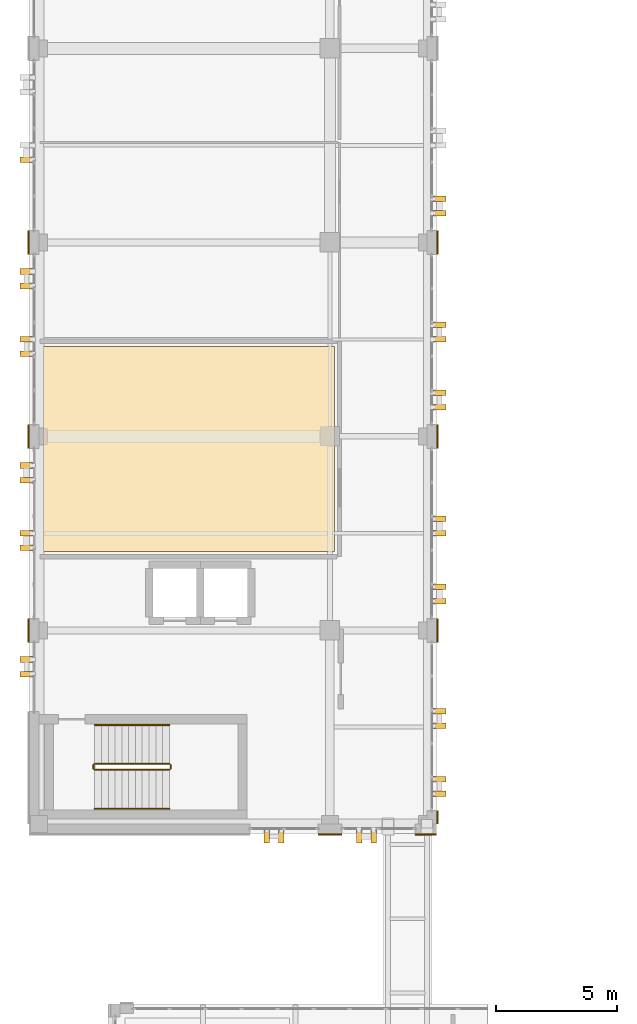
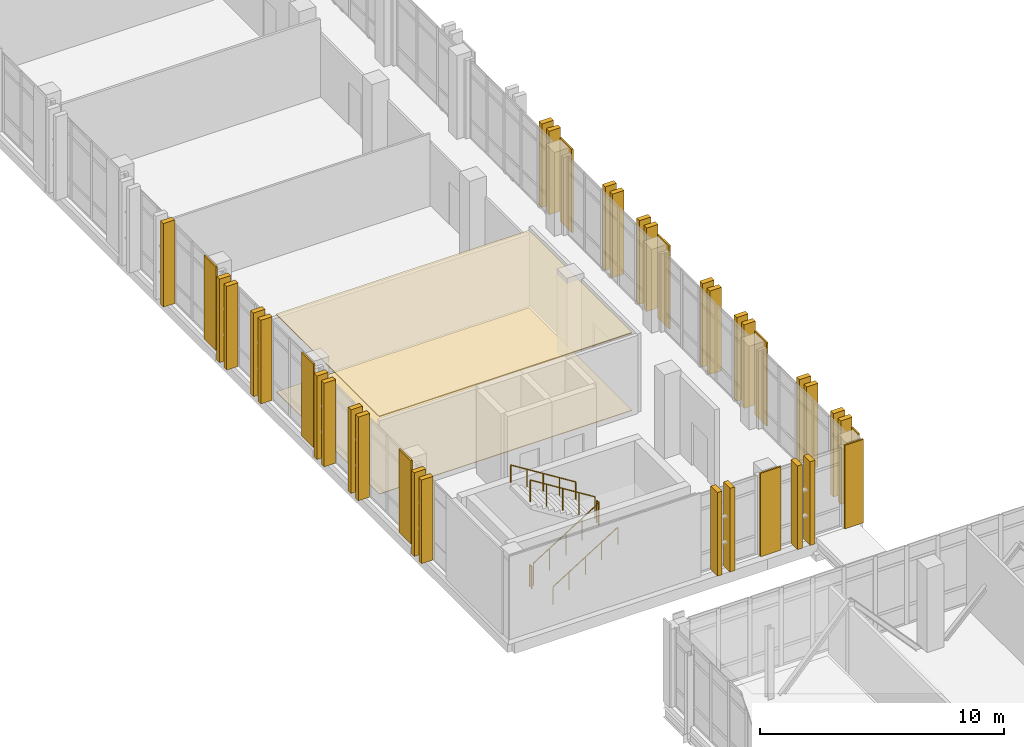
# One storey, part 146 of 158: 40 coverings, 6 railings.
"""IFC4 building model written with IfcOpenShell, lengths in metres."""

from ifc_helpers import new_model, si_unit, direction, frame, origin, origin_2d, place, context, subcontext, project, spatial, polyline, rectangle, circle, outline, extrude, material, layer, layer_set, type_object, element, save


model = new_model("IFC4")

# Units and contexts
model_context = context("Model", 3, precision=1e-05, world=origin(), true_north=direction((0.0, 1.0)))
body_context = subcontext(model_context, "Body", "Model", "MODEL_VIEW")
ifc_project = project(units=[si_unit("LENGTHUNIT", "METRE"), si_unit("AREAUNIT", "SQUARE_METRE"), si_unit("VOLUMEUNIT", "CUBIC_METRE"), si_unit("PLANEANGLEUNIT", "RADIAN"), si_unit("MASSUNIT", "GRAM", prefix="KILO")], contexts=[model_context])

# Site, building, storey
site_placement = place(None, origin())
site = spatial("IfcSite", under=ifc_project, at=site_placement, CompositionType="ELEMENT")
building_placement = place(site_placement, origin())
building = spatial("IfcBuilding", under=site, at=building_placement, Name="Qalavern Law Courts", CompositionType="ELEMENT")
storey_placement = place(building_placement, frame((0.0, 0.0, 18.60009765625)))
storey = spatial("IfcBuildingStorey", under=building, at=storey_placement, Name="L04", CompositionType="ELEMENT", Elevation=18.60009765625)

# Coverings
ifc_material_1 = material(Name="Precast concrete C40/50", Category="concrete")
ifc_layer_1 = layer(ifc_material_1, 0.22998046875)
ifc_layer_set_1 = layer_set([ifc_layer_1], Name="Precast concrete C40/50")
covering_type_1 = type_object("IfcCoveringType", Name="ENV-BLD-2", PredefinedType="CLADDING", material=ifc_layer_set_1)
for number, where, z_axis, x_axis, name in (
    (1, (11.800048828125, 40.909912109375, 0.0048828125), (0.0, 0.0, 1.0), (0.0, -1.0, 0.0), "Absheron stone facade blade 0351"),
    (2, (12.39990234375, 40.909912109375, 0.0048828125), (0.0, 0.0, 1.0), (0.0, -1.0, 0.0), "Absheron stone facade blade 0352"),
    (3, (15.60009765625, 40.909912109375, 0.0048828125), (0.0, 0.0, 1.0), (0.0, -1.0, 0.0), "Absheron stone facade blade 0353"),
    (4, (16.199951171875, 40.909912109375, 0.0048828125), (0.0, 0.0, 1.0), (0.0, -1.0, 0.0), "Absheron stone facade blade 0354"),
    (5, (18.909912109375, 42.6650390625, 0.0048828125), (0.0, 0.0, 1.0), (1.0, 0.0, 0.0), "Absheron stone facade blade 0355"),
    (6, (18.909912109375, 43.264892578125, 0.0048828125), (0.0, 0.0, 1.0), (1.0, 0.0, 0.0), "Absheron stone facade blade 0356"),
    (7, (18.909912109375, 45.465087890625, 0.0048828125), (0.0, 0.0, 1.0), (1.0, 0.0, 0.0), "Absheron stone facade blade 0357"),
    (8, (18.909912109375, 46.06494140625, 0.0048828125), (0.0, 0.0, 1.0), (1.0, 0.0, 0.0), "Absheron stone facade blade 0358"),
    (9, (18.909912109375, 50.60009765625, 0.0048828125), (0.0, 0.0, 1.0), (1.0, 0.0, 0.0), "Absheron stone facade blade 0359"),
    (10, (18.909912109375, 51.199951171875, 0.0048828125), (0.0, 0.0, 1.0), (1.0, 0.0, 0.0), "Absheron stone facade blade 0360"),
    (11, (18.909912109375, 53.39990234375, 0.0048828125), (0.0, 0.0, 1.0), (1.0, 0.0, 0.0), "Absheron stone facade blade 0361"),
    (12, (18.909912109375, 54.0, 0.0048828125), (0.0, 0.0, 1.0), (1.0, 0.0, 0.0), "Absheron stone facade blade 0362"),
    (13, (18.909912109375, 58.60009765625, 0.0048828125), (0.0, 0.0, 1.0), (1.0, 0.0, 0.0), "Absheron stone facade blade 0363"),
    (14, (18.909912109375, 59.199951171875, 0.0048828125), (0.0, 0.0, 1.0), (1.0, 0.0, 0.0), "Absheron stone facade blade 0364"),
    (15, (18.909912109375, 61.39990234375, 0.0048828125), (0.0, 0.0, 1.0), (1.0, 0.0, 0.0), "Absheron stone facade blade 0365"),
    (16, (18.909912109375, 62.0, 0.0048828125), (0.0, 0.0, 1.0), (1.0, 0.0, 0.0), "Absheron stone facade blade 0366"),
    (17, (18.909912109375, 66.60009765625, 0.0048828125), (0.0, 0.0, 1.0), (1.0, 0.0, 0.0), "Absheron stone facade blade 0367"),
    (18, (18.909912109375, 67.199951171875, 0.0048828125), (0.0, 0.0, 1.0), (1.0, 0.0, 0.0), "Absheron stone facade blade 0368"),
    (19, (1.889892578125, 68.800048828125, 0.0048828125), (0.0, 0.0, 1.0), (-1.0, 0.0, 0.0), "Absheron stone facade blade 0394"),
    (20, (1.889892578125, 64.199951171875, 0.0048828125), (0.0, 0.0, 1.0), (-1.0, 0.0, 0.0), "Absheron stone facade blade 0395"),
    (21, (1.889892578125, 63.60009765625, 0.0048828125), (0.0, 0.0, 1.0), (-1.0, 0.0, 0.0), "Absheron stone facade blade 0396"),
    (22, (1.889892578125, 61.39990234375, 0.0048828125), (0.0, 0.0, 1.0), (-1.0, 0.0, 0.0), "Absheron stone facade blade 0397"),
    (23, (1.889892578125, 60.800048828125, 0.0048828125), (0.0, 0.0, 1.0), (-1.0, 0.0, 0.0), "Absheron stone facade blade 0398"),
    (24, (1.889892578125, 56.199951171875, 0.0048828125), (0.0, 0.0, 1.0), (-1.0, 0.0, 0.0), "Absheron stone facade blade 0399"),
    (25, (1.889892578125, 55.60009765625, 0.0048828125), (0.0, 0.0, 1.0), (-1.0, 0.0, 0.0), "Absheron stone facade blade 0400"),
    (26, (1.889892578125, 53.39990234375, 0.0048828125), (0.0, 0.0, 1.0), (-1.0, 0.0, 0.0), "Absheron stone facade blade 0401"),
    (27, (1.889892578125, 52.800048828125, 0.0048828125), (0.0, 0.0, 1.0), (-1.0, 0.0, 0.0), "Absheron stone facade blade 0402"),
    (28, (1.889892578125, 48.199951171875, 0.0048828125), (0.0, 0.0, 1.0), (-1.0, 0.0, 0.0), "Absheron stone facade blade 0403"),
    (29, (1.889892578125, 47.60009765625, 0.0048828125), (0.0, 0.0, 1.0), (-1.0, 0.0, 0.0), "Absheron stone facade blade 0404"),
):
    element("IfcCovering", number, at=place(storey_placement, frame(where, z_axis=z_axis, x_axis=x_axis)), inside=storey, type_object=covering_type_1, Name=name, PredefinedType="CLADDING", context=body_context, shape_type="SweptSolid", body=[
        extrude(rectangle(XDim=0.5400390625, YDim=0.22998046875, at=origin_2d()), origin(), (0.0, 0.0, 1.0), 4.18994140625),
    ])
ifc_layer_2 = layer(ifc_material_1, 0.072021484375)
ifc_layer_set_2 = layer_set([ifc_layer_2], Name="Precast concrete C40/50")
covering_type_2 = type_object("IfcCoveringType", Name="ENV-CLD-2", PredefinedType="CLADDING", material=ifc_layer_set_2)
covering_1_placement = place(storey_placement, frame((14.39990234375, 40.987060546875, 0.009765625), z_axis=(0.0, 0.0, 1.0), x_axis=(1.0, 0.0, 0.0)))
element("IfcCovering", 30, at=covering_1_placement, inside=storey, type_object=covering_type_2, Name="V3 Absheron limestone pier facing L04 south 2", PredefinedType="CLADDING", context=body_context, shape_type="SweptSolid", body=[
    extrude(rectangle(XDim=0.97998046875, YDim=0.072021484375, at=origin_2d()), origin(), (0.0, 0.0, 1.0), 4.179931640625),
])
covering_2_placement = place(storey_placement, frame((18.35009765625, 40.987060546875, 0.009765625), z_axis=(0.0, 0.0, 1.0), x_axis=(1.0, 0.0, 0.0)))
element("IfcCovering", 31, at=covering_2_placement, inside=storey, type_object=covering_type_2, Name="V3 Absheron limestone pier facing L04 south 3", PredefinedType="CLADDING", context=body_context, shape_type="SweptSolid", body=[
    extrude(rectangle(XDim=0.8798828125, YDim=0.072021484375, at=origin_2d()), origin(), (0.0, 0.0, 1.0), 4.179931640625),
])
covering_3_placement = place(storey_placement, frame((18.8330078125, 41.68994140625, 0.009765625), z_axis=(0.0, 0.0, 1.0), x_axis=(0.0, 1.0, 0.0)))
element("IfcCovering", 32, at=covering_3_placement, inside=storey, type_object=covering_type_2, Name="V3 Absheron limestone pier facing L04 east 1", PredefinedType="CLADDING", context=body_context, shape_type="SweptSolid", body=[
    extrude(rectangle(XDim=0.530029296875, YDim=0.072021484375, at=origin_2d()), origin(), (0.0, 0.0, 1.0), 4.179931640625),
])
for number, where, z_axis, x_axis, name in (
    (33, (18.8330078125, 49.39990234375, 0.009765625), (0.0, 0.0, 1.0), (0.0, 1.0, 0.0), "V3 Absheron limestone pier facing L04 east 2"),
    (34, (18.8330078125, 57.39990234375, 0.009765625), (0.0, 0.0, 1.0), (0.0, 1.0, 0.0), "V3 Absheron limestone pier facing L04 east 3"),
    (35, (18.8330078125, 65.39990234375, 0.009765625), (0.0, 0.0, 1.0), (0.0, 1.0, 0.0), "V3 Absheron limestone pier facing L04 east 4"),
    (36, (1.967041015625, 65.39990234375, 0.009765625), (0.0, 0.0, 1.0), (0.0, -1.0, 0.0), "V3 Absheron limestone pier facing L04 west 5"),
    (37, (1.967041015625, 57.39990234375, 0.009765625), (0.0, 0.0, 1.0), (0.0, -1.0, 0.0), "V3 Absheron limestone pier facing L04 west 6"),
    (38, (1.967041015625, 49.39990234375, 0.009765625), (0.0, 0.0, 1.0), (0.0, -1.0, 0.0), "V3 Absheron limestone pier facing L04 west 7"),
):
    element("IfcCovering", number, at=place(storey_placement, frame(where, z_axis=z_axis, x_axis=x_axis)), inside=storey, type_object=covering_type_2, Name=name, PredefinedType="CLADDING", context=body_context, shape_type="SweptSolid", body=[
        extrude(rectangle(XDim=0.97998046875, YDim=0.072021484375, at=origin_2d()), origin(), (0.0, 0.0, 1.0), 4.179931640625),
    ])
ifc_material_2 = material(Name="Perforated gypsum and mineral-wool acoustic ceiling")
ifc_layer_3 = layer(ifc_material_2, 0.0458984375)
ifc_layer_set_3 = layer_set([ifc_layer_3], Name="Perforated gypsum and mineral-wool acoustic ceiling")
covering_type_3 = type_object("IfcCoveringType", Name="INT-CEIL-2", PredefinedType="CEILING", material=ifc_layer_set_3)
covering_4_placement = place(storey_placement, frame((0.0, 0.0, 3.87890625)))
element("IfcCovering", 39, at=covering_4_placement, inside=storey, type_object=covering_type_3, Name="High-Security Criminal Courtroom acoustic ceiling L04", PredefinedType="CEILING", context=body_context, shape_type="SweptSolid", body=[
    extrude(outline(polyline([(2.590087890625, 52.64990234375), (14.580078125, 52.64990234375), (14.580078125, 61.113037109375), (2.590087890625, 61.113037109375), (2.590087890625, 52.64990234375)])), origin(), (0.0, 0.0, 1.0), 0.0458984375),
])
ifc_material_3 = material(Name="Polished Absheron stone terrazzo flooring", Category="masonry")
ifc_layer_4 = layer(ifc_material_3, 0.030029296875)
ifc_layer_set_4 = layer_set([ifc_layer_4], Name="Polished Absheron stone terrazzo flooring")
covering_type_4 = type_object("IfcCoveringType", Name="INT-FLR-2", PredefinedType="FLOORING", material=ifc_layer_set_4)
covering_5_placement = place(storey_placement, origin())
element("IfcCovering", 40, at=covering_5_placement, inside=storey, type_object=covering_type_4, Name="High-Security Criminal Courtroom finish flooring L04", PredefinedType="FLOORING", context=body_context, shape_type="SweptSolid", body=[
    extrude(outline(polyline([(2.590087890625, 52.64990234375), (14.580078125, 52.64990234375), (14.580078125, 61.113037109375), (2.590087890625, 61.113037109375), (2.590087890625, 52.64990234375)])), origin(), (0.0, 0.0, 1.0), 0.02978515625),
])

# Railings
ifc_material_4 = material(Name="Steel S355", Category="steel")
railing_type_1 = type_object("IfcRailingType", Name="INT-GUARD-1120", PredefinedType="BALUSTRADE", material=ifc_material_4)
railing_1_placement = place(storey_placement, frame((4.699951171875, 43.64990234375, 0.1748046875)))
element("IfcRailing", 41, at=railing_1_placement, inside=storey, type_object=railing_type_1, Name="L04 ST-K2 stair guard 1", PredefinedType="BALUSTRADE", context=body_context, shape_type="SweptSolid", body=[
    extrude(circle(Radius=0.02392578125, at=origin_2d()), frame((0.0, 0.0, 1.09619140625), z_axis=(0.847998304005, 0.0, 0.529998940003), x_axis=(0.0, 1.0, 0.0)), (0.0, 0.0, 1.0), 3.632080078125),
    extrude(circle(Radius=0.02099609375, at=origin_2d()), origin(), (0.0, 0.0, 1.0), 1.072021484375),
    extrude(circle(Radius=0.02099609375, at=origin_2d()), frame((0.77001953125, 0.0, 0.481201171875)), (0.0, 0.0, 1.0), 1.072021484375),
    extrude(circle(Radius=0.02099609375, at=origin_2d()), frame((1.5400390625, 0.0, 0.96240234375)), (0.0, 0.0, 1.0), 1.072021484375),
    extrude(circle(Radius=0.02099609375, at=origin_2d()), frame((2.31005859375, 0.0, 1.44384765625)), (0.0, 0.0, 1.0), 1.072021484375),
    extrude(circle(Radius=0.02099609375, at=origin_2d()), frame((3.080078125, 0.0, 1.925048828125)), (0.0, 0.0, 1.0), 1.072021484375),
])
railing_2_placement = place(storey_placement, frame((7.830078125, 43.699951171875, 2.099853515625)))
element("IfcRailing", 42, at=railing_2_placement, inside=storey, type_object=railing_type_1, Name="L04 ST-K2 stair guard 2", PredefinedType="BALUSTRADE", context=body_context, shape_type="SweptSolid", body=[
    extrude(circle(Radius=0.02392578125, at=origin_2d()), frame((0.0, 0.0, 1.09619140625), z_axis=(0.0, 1.0, 0.0), x_axis=(-1.0, 0.0, 0.0)), (0.0, 0.0, 1.0), 0.150146484375),
    extrude(circle(Radius=0.02099609375, at=origin_2d()), origin(), (0.0, 0.0, 1.0), 1.072021484375),
    extrude(circle(Radius=0.02099609375, at=origin_2d()), frame((0.0, 0.150146484375, 0.0)), (0.0, 0.0, 1.0), 1.072021484375),
])
railing_3_placement = place(storey_placement, frame((7.780029296875, 43.89990234375, 2.27490234375)))
element("IfcRailing", 43, at=railing_3_placement, inside=storey, type_object=railing_type_1, Name="L04 ST-K2 stair guard 3", PredefinedType="BALUSTRADE", context=body_context, shape_type="SweptSolid", body=[
    extrude(circle(Radius=0.02392578125, at=origin_2d()), frame((0.0, 0.0, 1.09619140625), z_axis=(-0.847998304005, 0.0, 0.529998940003), x_axis=(0.0, -1.0, 0.0)), (0.0, 0.0, 1.0), 3.632080078125),
    extrude(circle(Radius=0.02099609375, at=origin_2d()), origin(), (0.0, 0.0, 1.0), 1.072021484375),
    extrude(circle(Radius=0.02099609375, at=origin_2d()), frame((-0.77001953125, 0.0, 0.481201171875)), (0.0, 0.0, 1.0), 1.072021484375),
    extrude(circle(Radius=0.02099609375, at=origin_2d()), frame((-1.5400390625, 0.0, 0.96240234375)), (0.0, 0.0, 1.0), 1.072021484375),
    extrude(circle(Radius=0.02099609375, at=origin_2d()), frame((-2.31005859375, 0.0, 1.44384765625)), (0.0, 0.0, 1.0), 1.072021484375),
    extrude(circle(Radius=0.02099609375, at=origin_2d()), frame((-3.080078125, 0.0, 1.925048828125)), (0.0, 0.0, 1.0), 1.072021484375),
])
railing_4_placement = place(storey_placement, frame((4.64990234375, 43.699951171875, 0.0)))
element("IfcRailing", 44, at=railing_4_placement, inside=storey, type_object=railing_type_1, Name="L04 ST-K2 stair guard 4", PredefinedType="BALUSTRADE", context=body_context, shape_type="SweptSolid", body=[
    extrude(circle(Radius=0.02392578125, at=origin_2d()), frame((0.0, 0.0, 1.09619140625), z_axis=(0.0, 1.0, 0.0), x_axis=(-1.0, 0.0, 0.0)), (0.0, 0.0, 1.0), 0.150146484375),
    extrude(circle(Radius=0.02099609375, at=origin_2d()), origin(), (0.0, 0.0, 1.0), 1.072021484375),
    extrude(circle(Radius=0.02099609375, at=origin_2d()), frame((0.0, 0.150146484375, 0.0)), (0.0, 0.0, 1.0), 1.072021484375),
])
railing_type_2 = type_object("IfcRailingType", Name="INT-HRAIL-920", PredefinedType="HANDRAIL", material=ifc_material_4)
railing_5_placement = place(storey_placement, frame((4.699951171875, 42.050048828125, 0.1748046875)))
element("IfcRailing", 45, at=railing_5_placement, inside=storey, type_object=railing_type_2, Name="L04 ST-K2 stair handrail 1", PredefinedType="HANDRAIL", context=body_context, shape_type="SweptSolid", body=[
    extrude(circle(Radius=0.02392578125, at=origin_2d()), frame((0.0, 0.0, 0.8759765625), z_axis=(0.847998304005, 0.0, 0.529998940003), x_axis=(0.0, 1.0, 0.0)), (0.0, 0.0, 1.0), 3.632080078125),
    extrude(circle(Radius=0.02099609375, at=origin_2d()), origin(), (0.0, 0.0, 1.0), 0.851806640625),
    extrude(circle(Radius=0.02099609375, at=origin_2d()), frame((0.77001953125, 0.0, 0.481201171875)), (0.0, 0.0, 1.0), 0.851806640625),
    extrude(circle(Radius=0.02099609375, at=origin_2d()), frame((1.5400390625, 0.0, 0.96240234375)), (0.0, 0.0, 1.0), 0.851806640625),
    extrude(circle(Radius=0.02099609375, at=origin_2d()), frame((2.31005859375, 0.0, 1.44384765625)), (0.0, 0.0, 1.0), 0.851806640625),
    extrude(circle(Radius=0.02099609375, at=origin_2d()), frame((3.080078125, 0.0, 1.925048828125)), (0.0, 0.0, 1.0), 0.851806640625),
])
railing_6_placement = place(storey_placement, frame((7.780029296875, 45.5, 2.27490234375)))
element("IfcRailing", 46, at=railing_6_placement, inside=storey, type_object=railing_type_2, Name="L04 ST-K2 stair handrail 2", PredefinedType="HANDRAIL", context=body_context, shape_type="SweptSolid", body=[
    extrude(circle(Radius=0.02392578125, at=origin_2d()), frame((0.0, 0.0, 0.8759765625), z_axis=(-0.847998304005, 0.0, 0.529998940003), x_axis=(0.0, -1.0, 0.0)), (0.0, 0.0, 1.0), 3.632080078125),
    extrude(circle(Radius=0.02099609375, at=origin_2d()), origin(), (0.0, 0.0, 1.0), 0.851806640625),
    extrude(circle(Radius=0.02099609375, at=origin_2d()), frame((-0.77001953125, 0.0, 0.481201171875)), (0.0, 0.0, 1.0), 0.851806640625),
    extrude(circle(Radius=0.02099609375, at=origin_2d()), frame((-1.5400390625, 0.0, 0.96240234375)), (0.0, 0.0, 1.0), 0.851806640625),
    extrude(circle(Radius=0.02099609375, at=origin_2d()), frame((-2.31005859375, 0.0, 1.44384765625)), (0.0, 0.0, 1.0), 0.851806640625),
    extrude(circle(Radius=0.02099609375, at=origin_2d()), frame((-3.080078125, 0.0, 1.925048828125)), (0.0, 0.0, 1.0), 0.851806640625),
])

save(model, "model.ifc")
